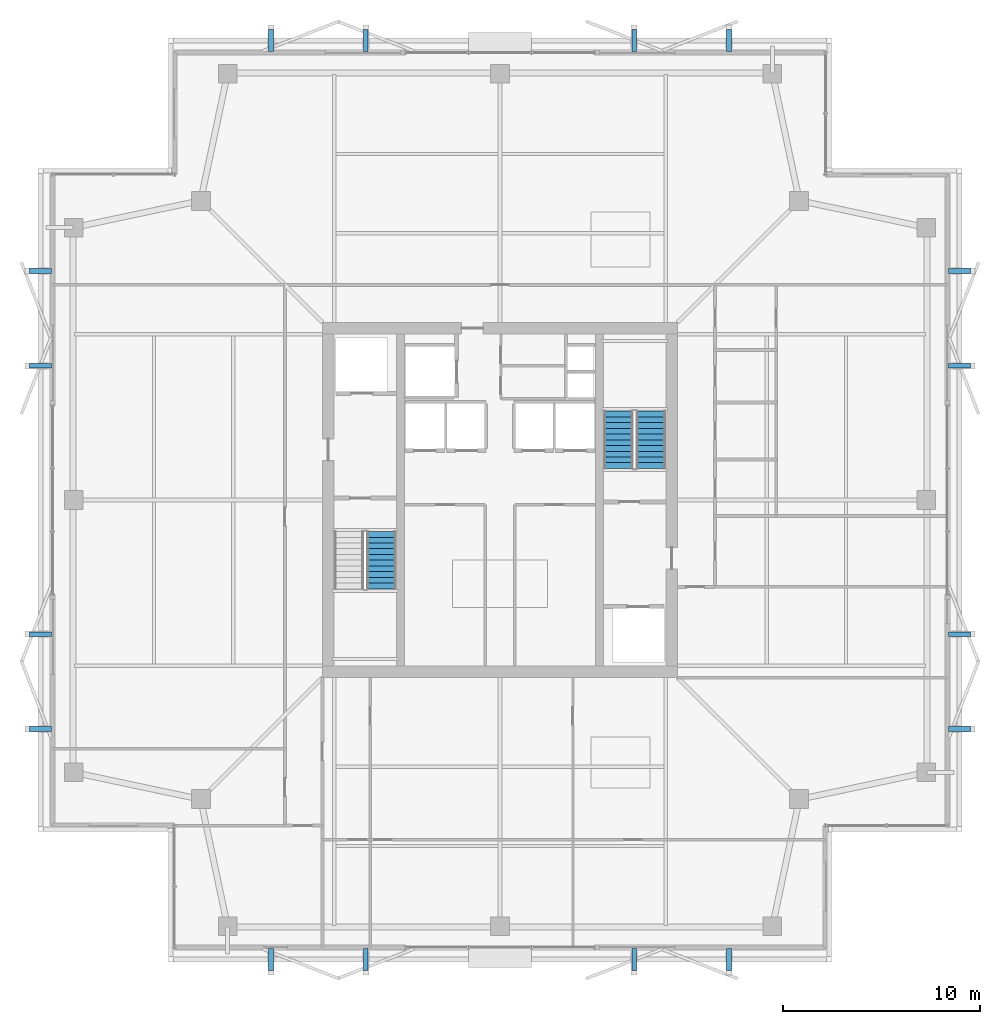
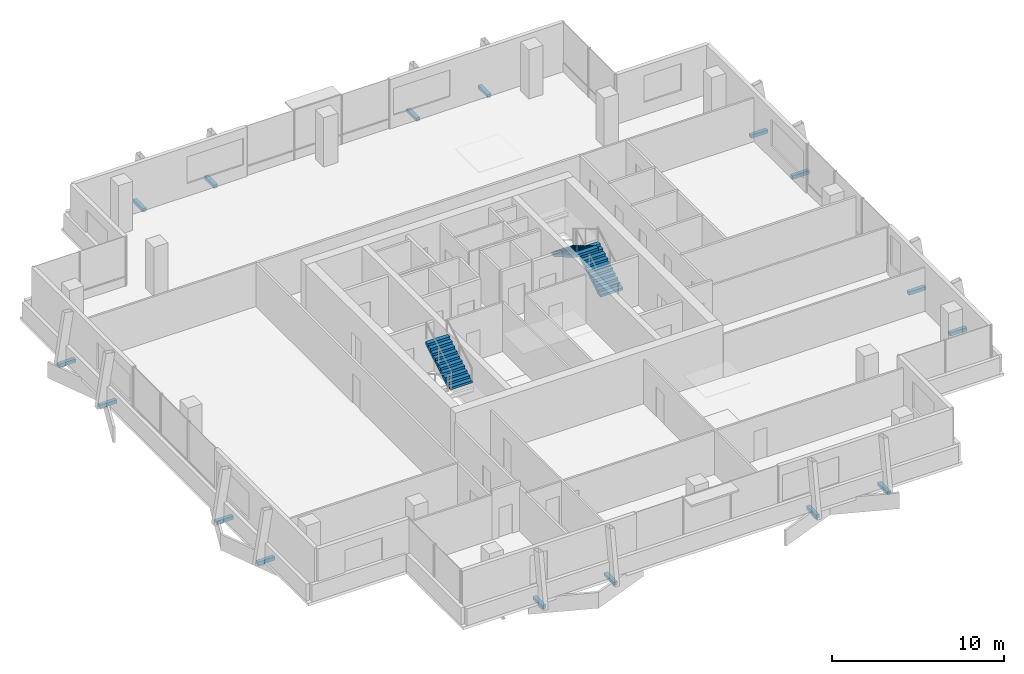
# One storey, part 24 of 26: 16 discrete accessories, 3 stair flights, 2 elements without a shape of their own.
"""IFC4 building model written with IfcOpenShell, lengths in metres."""

from ifc_helpers import new_model, si_unit, direction, frame, origin, origin_2d, place, context, subcontext, project, spatial, polyline, rectangle, outline, extrude, material, layer, layer_set, type_object, element, aggregate, save


model = new_model("IFC4")

# Units and contexts
model_context = context("Model", 3, precision=1e-05, world=origin(), true_north=direction((0.0, 1.0)))
body_context = subcontext(model_context, "Body", "Model", "MODEL_VIEW")
ifc_project = project(units=[si_unit("LENGTHUNIT", "METRE"), si_unit("AREAUNIT", "SQUARE_METRE"), si_unit("VOLUMEUNIT", "CUBIC_METRE"), si_unit("PLANEANGLEUNIT", "RADIAN"), si_unit("MASSUNIT", "GRAM", prefix="KILO")], contexts=[model_context])

# Site, building, storey
site_placement = place(None, origin())
site = spatial("IfcSite", under=ifc_project, at=site_placement, CompositionType="ELEMENT")
building_placement = place(site_placement, origin())
building = spatial("IfcBuilding", under=site, at=building_placement, Name="Belovzor Exchange Tower", CompositionType="ELEMENT")
storey_placement = place(building_placement, frame((0.0, 0.0, 295.5)))
storey = spatial("IfcBuildingStorey", under=building, at=storey_placement, Name="L73", CompositionType="ELEMENT", Elevation=295.5)

# Stair, stair flight
ifc_material_1 = material(Name="Concrete C40/50", Category="concrete")
stair_type = type_object("IfcStairType", Name="Reinforced Concrete Dogleg Escape Stair 1350", PredefinedType="HALF_TURN_STAIR", material=ifc_material_1)
stair_1_placement = place(storey_placement, origin())
stair_1 = element("IfcStair", 1, at=stair_1_placement, inside=storey, type_object=stair_type, Name="L73 ST-1", PredefinedType="HALF_TURN_STAIR")
ifc_material_2 = material(Name="Concrete C40/50", Category="concrete")
stair_flight_type = type_object("IfcStairFlightType", Name="Reinforced Concrete Stair Flight 1350", PredefinedType="STRAIGHT", material=ifc_material_2)
stair_flight_1_placement = place(storey_placement, frame((22.800048828125, 24.300048828125, 1.875), z_axis=(0.0, 0.0, 1.0), x_axis=(0.0, 1.0, 0.0)))
stair_flight_1 = element("IfcStairFlight", 2, at=stair_flight_1_placement, type_object=stair_flight_type, Name="ST-1 flight 2", NumberOfRisers=11, NumberOfTreads=10, PredefinedType="STRAIGHT", RiserHeight=0.170454545, TreadLength=0.29, context=body_context, shape_type="SweptSolid", body=[
    extrude(outline(polyline([(0.0, 0.0), (0.0, 0.17041015625), (0.2900390625, 0.17041015625), (0.2900390625, 0.3408203125), (0.580078125, 0.3408203125), (0.580078125, 0.511474609375), (0.8701171875, 0.511474609375), (0.8701171875, 0.681884765625), (1.159912109375, 0.681884765625), (1.159912109375, 0.852294921875), (1.449951171875, 0.852294921875), (1.449951171875, 1.022705078125), (1.739990234375, 1.022705078125), (1.739990234375, 1.193115234375), (2.030029296875, 1.193115234375), (2.030029296875, 1.363525390625), (2.320068359375, 1.363525390625), (2.320068359375, 1.5341796875), (2.610107421875, 1.5341796875), (2.610107421875, 1.70458984375), (2.89990234375, 1.70458984375), (2.89990234375, 1.875), (2.89990234375, 1.53076171875), (0.2958984375, 0.0), (0.0, 0.0)])), frame((0.0, 0.75, 0.0), z_axis=(0.0, -1.0, 0.0), x_axis=(1.0, 0.0, 0.0)), (0.0, 0.0, 1.0), 1.5),
])
aggregate(stair_1, [stair_flight_1])

# Stair, stair flights
stair_2_placement = place(storey_placement, origin())
stair_2 = element("IfcStair", 3, at=stair_2_placement, inside=storey, type_object=stair_type, Name="L73 ST-2", PredefinedType="HALF_TURN_STAIR")
stair_flight_2_placement = place(storey_placement, frame((36.449951171875, 30.39990234375, 0.0), z_axis=(0.0, 0.0, 1.0), x_axis=(0.0, 1.0, 0.0)))
stair_flight_2 = element("IfcStairFlight", 4, at=stair_flight_2_placement, type_object=stair_flight_type, Name="ST-2 flight 1", NumberOfRisers=11, NumberOfTreads=10, PredefinedType="STRAIGHT", RiserHeight=0.170454545, TreadLength=0.29, context=body_context, shape_type="SweptSolid", body=[
    extrude(outline(polyline([(0.0, 0.0), (0.0, 0.17041015625), (0.2900390625, 0.17041015625), (0.2900390625, 0.3408203125), (0.580078125, 0.3408203125), (0.580078125, 0.511474609375), (0.8701171875, 0.511474609375), (0.8701171875, 0.681884765625), (1.159912109375, 0.681884765625), (1.159912109375, 0.852294921875), (1.449951171875, 0.852294921875), (1.449951171875, 1.022705078125), (1.739990234375, 1.022705078125), (1.739990234375, 1.193115234375), (2.030029296875, 1.193115234375), (2.030029296875, 1.363525390625), (2.320068359375, 1.363525390625), (2.320068359375, 1.5341796875), (2.610107421875, 1.5341796875), (2.610107421875, 1.70458984375), (2.89990234375, 1.70458984375), (2.89990234375, 1.875), (2.89990234375, 1.53076171875), (0.2958984375, 0.0), (0.0, 0.0)])), frame((0.0, 0.75, 0.0), z_axis=(0.0, -1.0, 0.0), x_axis=(1.0, 0.0, 0.0)), (0.0, 0.0, 1.0), 1.5),
])
stair_flight_3_placement = place(storey_placement, frame((34.800048828125, 33.300048828125, 1.875), z_axis=(0.0, 0.0, 1.0), x_axis=(0.0, -1.0, 0.0)))
stair_flight_3 = element("IfcStairFlight", 5, at=stair_flight_3_placement, type_object=stair_flight_type, Name="ST-2 flight 2", NumberOfRisers=11, NumberOfTreads=10, PredefinedType="STRAIGHT", RiserHeight=0.170454545, TreadLength=0.29, context=body_context, shape_type="SweptSolid", body=[
    extrude(outline(polyline([(0.0, 0.0), (0.0, 0.17041015625), (0.2900390625, 0.17041015625), (0.2900390625, 0.3408203125), (0.580078125, 0.3408203125), (0.580078125, 0.511474609375), (0.8701171875, 0.511474609375), (0.8701171875, 0.681884765625), (1.159912109375, 0.681884765625), (1.159912109375, 0.852294921875), (1.449951171875, 0.852294921875), (1.449951171875, 1.022705078125), (1.739990234375, 1.022705078125), (1.739990234375, 1.193115234375), (2.030029296875, 1.193115234375), (2.030029296875, 1.363525390625), (2.320068359375, 1.363525390625), (2.320068359375, 1.5341796875), (2.610107421875, 1.5341796875), (2.610107421875, 1.70458984375), (2.89990234375, 1.70458984375), (2.89990234375, 1.875), (2.89990234375, 1.53076171875), (0.2958984375, 0.0), (0.0, 0.0)])), frame((0.0, 0.75, 0.0), z_axis=(0.0, -1.0, 0.0), x_axis=(1.0, 0.0, 0.0)), (0.0, 0.0, 1.0), 1.5),
])
aggregate(stair_2, [stair_flight_2, stair_flight_3])

# Discrete accessories
ifc_material_3 = material(Name="Stainless Steel Grade 316", Category="steel")
ifc_layer = layer(ifc_material_3, 0.179931640625)
ifc_layer_set = layer_set([ifc_layer], Name="Stainless Steel Grade 316")
discrete_accessory_type = type_object("IfcDiscreteAccessoryType", Name="Stainless Steel Facade Outrigger Fixing Bracket", PredefinedType="BRACKET", material=ifc_layer_set)
for number, where, z_axis, x_axis, name in (
    (6, (17.199951171875, 5.512939453125, -0.240234375), (0.0, 0.0, 1.0), (0.0, 1.0, 0.0), "BRK-FIN1 Sweeping Fin Outrigger Bracket L73 S1"),
    (7, (17.199951171875, 52.087890625, -0.240234375), (0.0, 0.0, 1.0), (0.0, 1.0, 0.0), "BRK-FIN1 Sweeping Fin Outrigger Bracket L73 N1"),
    (8, (5.512939453125, 17.199951171875, -0.240234375), (0.0, 0.0, 1.0), (1.0, 0.0, 0.0), "BRK-FIN1 Sweeping Fin Outrigger Bracket L73 W1"),
    (9, (52.087890625, 17.199951171875, -0.240234375), (0.0, 0.0, 1.0), (1.0, 0.0, 0.0), "BRK-FIN1 Sweeping Fin Outrigger Bracket L73 E1"),
    (10, (22.0, 5.512939453125, -0.240234375), (0.0, 0.0, 1.0), (0.0, 1.0, 0.0), "BRK-FIN1 Sweeping Fin Outrigger Bracket L73 S2"),
    (11, (22.0, 52.087890625, -0.240234375), (0.0, 0.0, 1.0), (0.0, 1.0, 0.0), "BRK-FIN1 Sweeping Fin Outrigger Bracket L73 N2"),
    (12, (5.512939453125, 22.0, -0.240234375), (0.0, 0.0, 1.0), (1.0, 0.0, 0.0), "BRK-FIN1 Sweeping Fin Outrigger Bracket L73 W2"),
    (13, (52.087890625, 22.0, -0.240234375), (0.0, 0.0, 1.0), (1.0, 0.0, 0.0), "BRK-FIN1 Sweeping Fin Outrigger Bracket L73 E2"),
    (14, (35.60009765625, 5.512939453125, -0.240234375), (0.0, 0.0, 1.0), (0.0, 1.0, 0.0), "BRK-FIN1 Sweeping Fin Outrigger Bracket L73 S3"),
    (15, (35.60009765625, 52.087890625, -0.240234375), (0.0, 0.0, 1.0), (0.0, 1.0, 0.0), "BRK-FIN1 Sweeping Fin Outrigger Bracket L73 N3"),
    (16, (5.512939453125, 35.60009765625, -0.240234375), (0.0, 0.0, 1.0), (1.0, 0.0, 0.0), "BRK-FIN1 Sweeping Fin Outrigger Bracket L73 W3"),
    (17, (52.087890625, 35.60009765625, -0.240234375), (0.0, 0.0, 1.0), (1.0, 0.0, 0.0), "BRK-FIN1 Sweeping Fin Outrigger Bracket L73 E3"),
    (18, (40.39990234375, 5.512939453125, -0.240234375), (0.0, 0.0, 1.0), (0.0, 1.0, 0.0), "BRK-FIN1 Sweeping Fin Outrigger Bracket L73 S4"),
    (19, (40.39990234375, 52.087890625, -0.240234375), (0.0, 0.0, 1.0), (0.0, 1.0, 0.0), "BRK-FIN1 Sweeping Fin Outrigger Bracket L73 N4"),
    (20, (5.512939453125, 40.39990234375, -0.240234375), (0.0, 0.0, 1.0), (1.0, 0.0, 0.0), "BRK-FIN1 Sweeping Fin Outrigger Bracket L73 W4"),
    (21, (52.087890625, 40.39990234375, -0.240234375), (0.0, 0.0, 1.0), (1.0, 0.0, 0.0), "BRK-FIN1 Sweeping Fin Outrigger Bracket L73 E4"),
):
    element("IfcDiscreteAccessory", number, at=place(storey_placement, frame(where, z_axis=z_axis, x_axis=x_axis)), inside=storey, type_object=discrete_accessory_type, Name=name, PredefinedType="BRACKET", context=body_context, shape_type="SweptSolid", body=[
        extrude(rectangle(XDim=1.135009765625, YDim=0.239990234375, at=origin_2d()), origin(), (0.0, 0.0, 1.0), 0.239990234375),
    ])

save(model, "model.ifc")
